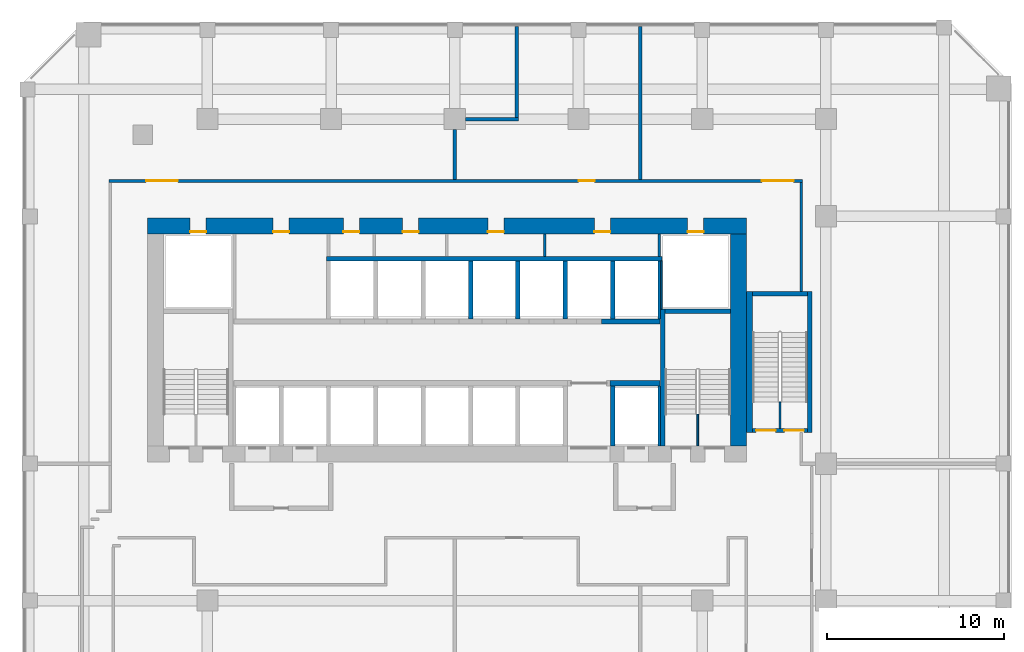
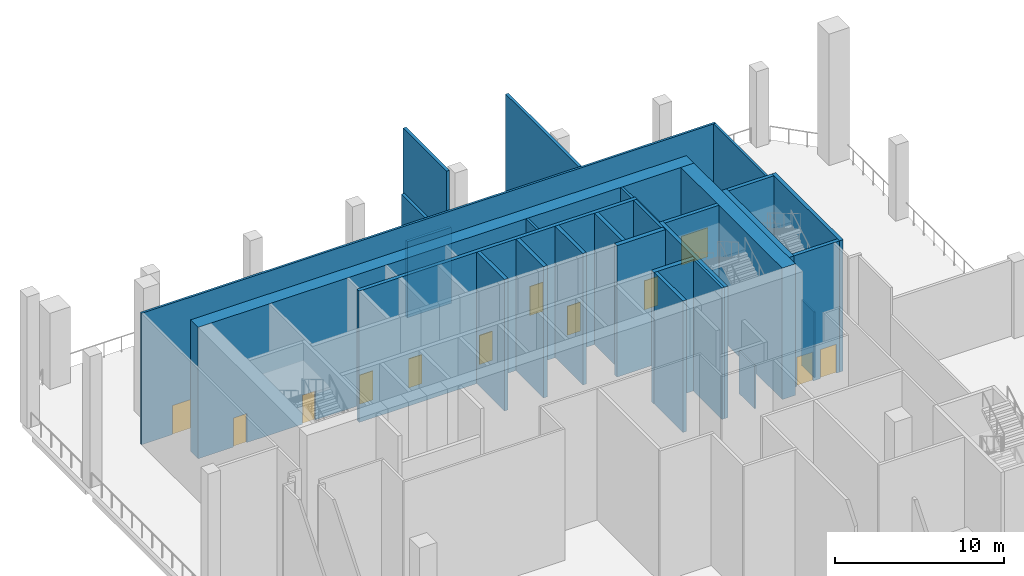
# One storey, part 5 of 12: 29 walls, 12 doors, 12 openings.
"""IFC4 building model written with IfcOpenShell, lengths in metres."""

from ifc_helpers import new_model, si_unit, direction, frame, frame_2d, origin, place, context, subcontext, project, spatial, rectangle, extrude, source, transform, mapped, material, layer, layer_set, type_object, element, fill, save


model = new_model("IFC4")

# Units and contexts
model_context = context("Model", 3, precision=1e-05, world=origin(), true_north=direction((0.0, 1.0)))
body_context = subcontext(model_context, "Body", "Model", "MODEL_VIEW")
ifc_project = project(units=[si_unit("LENGTHUNIT", "METRE"), si_unit("AREAUNIT", "SQUARE_METRE"), si_unit("VOLUMEUNIT", "CUBIC_METRE"), si_unit("PLANEANGLEUNIT", "RADIAN"), si_unit("MASSUNIT", "GRAM", prefix="KILO")], contexts=[model_context])

# Site, building, storey
site_placement = place(None, origin())
site = spatial("IfcSite", under=ifc_project, at=site_placement, CompositionType="ELEMENT")
building_placement = place(site_placement, origin())
building = spatial("IfcBuilding", under=site, at=building_placement, Name="Kilnfold Tower and Market Hall", CompositionType="ELEMENT")
storey_placement = place(building_placement, frame((0.0, 0.0, 128.60009765625)))
storey = spatial("IfcBuildingStorey", under=building, at=storey_placement, Name="L30 Refuge Wind Floor", CompositionType="ELEMENT", Elevation=128.60009765625)

# Wall
ifc_material_1 = material(Name="Gypsum board on steel studs", Category="steel")
ifc_layer_1 = layer(ifc_material_1, 0.14990234375)
ifc_layer_set_1 = layer_set([ifc_layer_1], Name="Gypsum board on steel studs")
wall_type_1 = type_object("IfcWallType", Name="WALL CORRIDOR 150", PredefinedType="PARTITIONING", material=ifc_layer_set_1)
wall_1_placement = place(storey_placement, frame((21.10009765625, 17.75, 0.0), z_axis=(0.0, 0.0, 1.0), x_axis=(0.0, 1.0, 0.0)))
element("IfcWall", 1, at=wall_1_placement, inside=storey, type_object=wall_type_1, Name="Partition LY19.25", PredefinedType="PARTITIONING", context=body_context, shape_type="SweptSolid", body=[
    extrude(rectangle(XDim=6.175048828125, YDim=0.14990234375, at=frame_2d((3.08740234375, 0.0))), origin(), (0.0, 0.0, 1.0), 9.5),
])

# Wall, openings, doors
wall_2_placement = place(storey_placement, frame((-18.074951171875, 24.0, 0.0), z_axis=(0.0, 0.0, 1.0), x_axis=(1.0, 0.0, 0.0)))
wall_2 = element("IfcWall", 2, at=wall_2_placement, inside=storey, type_object=wall_type_1, Name="Partition LY19.28", PredefinedType="PARTITIONING", context=body_context, shape_type="SweptSolid", body=[
    extrude(rectangle(XDim=39.25, YDim=0.14990234375, at=frame_2d((19.625, 0.0))), origin(), (0.0, 0.0, 1.0), 9.5),
])
opening_1_placement = place(wall_2_placement, frame((2.10888671875, 0.0, 0.0)))
opening_1 = element("IfcOpeningElement", 3, at=opening_1_placement, cuts=wall_2, Name="Opening D5", PredefinedType="OPENING", context=body_context, shape_type="SweptSolid", body=[
    extrude(rectangle(XDim=1.800048828125, YDim=2.10009765625, at=frame_2d((0.89990234375, 1.050048828125))), frame((0.0, 0.0849609375, 0.0), z_axis=(0.0, -1.0, 0.0), x_axis=(1.0, 0.0, 0.0)), (0.0, 0.0, 1.0), 0.169921875),
])
opening_2_placement = place(wall_2_placement, frame((26.580078125, 0.0, 0.0)))
opening_2 = element("IfcOpeningElement", 4, at=opening_2_placement, cuts=wall_2, Name="Opening D2", PredefinedType="OPENING", context=body_context, shape_type="SweptSolid", body=[
    extrude(rectangle(XDim=0.89990234375, YDim=2.10009765625, at=frame_2d((0.449951171875, 1.050048828125))), frame((0.0, 0.0849609375, 0.0), z_axis=(0.0, -1.0, 0.0), x_axis=(1.0, 0.0, 0.0)), (0.0, 0.0, 1.0), 0.169921875),
])
opening_3_placement = place(wall_2_placement, frame((36.946044921875, 0.0, 0.0)))
opening_3 = element("IfcOpeningElement", 5, at=opening_3_placement, cuts=wall_2, Name="Opening D5", PredefinedType="OPENING", context=body_context, shape_type="SweptSolid", body=[
    extrude(rectangle(XDim=1.800048828125, YDim=2.10009765625, at=frame_2d((0.89990234375, 1.050048828125))), frame((0.0, 0.0849609375, 0.0), z_axis=(0.0, -1.0, 0.0), x_axis=(1.0, 0.0, 0.0)), (0.0, 0.0, 1.0), 0.169921875),
])
ifc_material_2 = material(Name="Timber veneer door leaf in steel frame", Category="steel")
door_type_1 = type_object("IfcDoorType", Name="DOOR DOUBLE 1800 X2100", OperationType="NOTDEFINED", PredefinedType="DOOR", material=ifc_material_2)
door_1_placement = place(opening_1_placement, origin())
door_1 = element("IfcDoor", 6, at=door_1_placement, inside=storey, type_object=door_type_1, Name="Door D5", OperationType="DOUBLE_DOOR_SINGLE_SWING", OverallHeight=2.10009765625, OverallWidth=1.800048828125, PredefinedType="DOOR", context=body_context, shape_type="SweptSolid", body=[
    extrude(rectangle(XDim=1.800048828125, YDim=2.10009765625, at=frame_2d((0.89990234375, 1.050048828125))), frame((0.0, 0.02490234375, 0.0), z_axis=(0.0, -1.0, 0.0), x_axis=(1.0, 0.0, 0.0)), (0.0, 0.0, 1.0), 0.050048828125),
])
fill(opening_1, door_1)
door_2_placement = place(opening_3_placement, origin())
door_2 = element("IfcDoor", 7, at=door_2_placement, inside=storey, type_object=door_type_1, Name="Door D5", OperationType="DOUBLE_DOOR_SINGLE_SWING", OverallHeight=2.10009765625, OverallWidth=1.800048828125, PredefinedType="DOOR", context=body_context, shape_type="SweptSolid", body=[
    extrude(rectangle(XDim=1.800048828125, YDim=2.10009765625, at=frame_2d((0.89990234375, 1.050048828125))), frame((0.0, 0.02490234375, 0.0), z_axis=(0.0, -1.0, 0.0), x_axis=(1.0, 0.0, 0.0)), (0.0, 0.0, 1.0), 0.050048828125),
])
fill(opening_3, door_2)
ifc_material_3 = material(Name="Timber veneer door leaf in steel frame", Category="steel")
door_type_2 = type_object("IfcDoorType", Name="DOOR ROOM 900 X2100", OperationType="NOTDEFINED", PredefinedType="DOOR", material=ifc_material_3)
door_3_placement = place(opening_2_placement, origin())
door_3 = element("IfcDoor", 8, at=door_3_placement, inside=storey, type_object=door_type_2, Name="Door D2", OperationType="SINGLE_SWING_LEFT", OverallHeight=2.10009765625, OverallWidth=0.89990234375, PredefinedType="DOOR", context=body_context, shape_type="SweptSolid", body=[
    extrude(rectangle(XDim=0.89990234375, YDim=2.10009765625, at=frame_2d((0.449951171875, 1.050048828125))), frame((0.0, 0.02490234375, 0.0), z_axis=(0.0, -1.0, 0.0), x_axis=(1.0, 0.0, 0.0)), (0.0, 0.0, 1.0), 0.050048828125),
])
fill(opening_2, door_3)

# Walls
ifc_material_4 = material(Name="Gypsum board on steel studs", Category="steel")
ifc_layer_2 = layer(ifc_material_4, 0.199951171875)
ifc_layer_set_2 = layer_set([ifc_layer_2], Name="Gypsum board on steel studs")
wall_type_2 = type_object("IfcWallType", Name="WALL PARTY 200", PredefinedType="PARTITIONING", material=ifc_layer_set_2)
wall_3_placement = place(storey_placement, frame((12.0, 24.076904296875, 0.0), z_axis=(0.0, 0.0, 1.0), x_axis=(0.0, 1.0, 0.0)))
element("IfcWall", 9, at=wall_3_placement, inside=storey, type_object=wall_type_2, Name="Partition LY19.44", PredefinedType="PARTITIONING", context=body_context, shape_type="SweptSolid", body=[
    extrude(rectangle(XDim=8.673095703125, YDim=0.199951171875, at=frame_2d((4.33642578125, 0.0))), origin(), (0.0, 0.0, 1.0), 9.5),
])
wall_4_placement = place(storey_placement, frame((1.5, 24.076904296875, 0.0), z_axis=(0.0, 0.0, 1.0), x_axis=(0.0, 1.0, 0.0)))
element("IfcWall", 10, at=wall_4_placement, inside=storey, type_object=wall_type_2, Name="Partition LY19.45", PredefinedType="PARTITIONING", context=body_context, shape_type="SweptSolid", body=[
    extrude(rectangle(XDim=2.822998046875, YDim=0.199951171875, at=frame_2d((1.41162109375, 0.0))), origin(), (0.0, 0.0, 1.0), 9.5),
])
wall_5_placement = place(storey_placement, frame((5.10009765625, 27.5, 0.0), z_axis=(0.0, 0.0, 1.0), x_axis=(-1.0, 0.0, 0.0)))
element("IfcWall", 11, at=wall_5_placement, inside=storey, type_object=wall_type_2, Name="Partition LY19.46", PredefinedType="PARTITIONING", context=body_context, shape_type="SweptSolid", body=[
    extrude(rectangle(XDim=3.0, YDim=0.199951171875, at=frame_2d((1.5, 0.0))), origin(), (0.0, 0.0, 1.0), 5.5),
])
wall_6_placement = place(storey_placement, frame((5.0, 27.60009765625, 0.0), z_axis=(0.0, 0.0, 1.0), x_axis=(0.0, 1.0, 0.0)))
element("IfcWall", 12, at=wall_6_placement, inside=storey, type_object=wall_type_2, Name="Partition LY19.47", PredefinedType="PARTITIONING", context=body_context, shape_type="SweptSolid", body=[
    extrude(rectangle(XDim=5.14990234375, YDim=0.199951171875, at=frame_2d((2.574951171875, 0.0))), origin(), (0.0, 0.0, 1.0), 9.5),
])

# Wall, openings, doors
ifc_material_5 = material(Name="Concrete C70", Category="concrete")
ifc_layer_3 = layer(ifc_material_5, 0.89990234375)
ifc_layer_set_3 = layer_set([ifc_layer_3], Name="Concrete C70")
wall_type_3 = type_object("IfcWallType", Name="CORE WALL 900 C70", PredefinedType="SHEAR", material=ifc_layer_set_3)
shared_shape_1 = source(origin(), body_context, "Body", "SweptSolid", [
    extrude(rectangle(XDim=33.89990234375, YDim=0.89990234375, at=frame_2d((16.949951171875, 0.0))), origin(), (0.0, 0.0, 1.0), 9.5),
])
wall_7_placement = place(storey_placement, frame((-15.89990234375, 21.449951171875, 0.0), z_axis=(0.0, 0.0, 1.0), x_axis=(1.0, 0.0, 0.0)))
wall_7 = element("IfcWall", 13, at=wall_7_placement, inside=storey, type_object=wall_type_3, Name="Core outer wall north", PredefinedType="SHEAR", context=body_context, shape_type="MappedRepresentation", body=[
    mapped(shared_shape_1, transform((0.0, 0.0, 0.0))),
])
opening_4_placement = place(wall_7_placement, frame((7.1201171875, 0.0, 0.0)))
opening_4 = element("IfcOpeningElement", 14, at=opening_4_placement, cuts=wall_7, Name="Opening KD1", PredefinedType="OPENING", context=body_context, shape_type="SweptSolid", body=[
    extrude(rectangle(XDim=0.89990234375, YDim=2.10009765625, at=frame_2d((0.449951171875, 1.050048828125))), frame((0.0, 0.4599609375, 0.0), z_axis=(0.0, -1.0, 0.0), x_axis=(1.0, 0.0, 0.0)), (0.0, 0.0, 1.0), 0.919921875),
])
opening_5_placement = place(wall_7_placement, frame((11.099853515625, 0.0, 0.0)))
opening_5 = element("IfcOpeningElement", 15, at=opening_5_placement, cuts=wall_7, Name="Opening KD1", PredefinedType="OPENING", context=body_context, shape_type="SweptSolid", body=[
    extrude(rectangle(XDim=0.89990234375, YDim=2.10009765625, at=frame_2d((0.449951171875, 1.050048828125))), frame((0.0, 0.4599609375, 0.0), z_axis=(0.0, -1.0, 0.0), x_axis=(1.0, 0.0, 0.0)), (0.0, 0.0, 1.0), 0.919921875),
])
opening_6_placement = place(wall_7_placement, frame((14.44970703125, 0.0, 0.0)))
opening_6 = element("IfcOpeningElement", 16, at=opening_6_placement, cuts=wall_7, Name="Opening KD1", PredefinedType="OPENING", context=body_context, shape_type="SweptSolid", body=[
    extrude(rectangle(XDim=0.89990234375, YDim=2.10009765625, at=frame_2d((0.449951171875, 1.050048828125))), frame((0.0, 0.4599609375, 0.0), z_axis=(0.0, -1.0, 0.0), x_axis=(1.0, 0.0, 0.0)), (0.0, 0.0, 1.0), 0.919921875),
])
opening_7_placement = place(wall_7_placement, frame((19.273681640625, 0.0, 0.0)))
opening_7 = element("IfcOpeningElement", 17, at=opening_7_placement, cuts=wall_7, Name="Opening KD1", PredefinedType="OPENING", context=body_context, shape_type="SweptSolid", body=[
    extrude(rectangle(XDim=0.89990234375, YDim=2.10009765625, at=frame_2d((0.449951171875, 1.050048828125))), frame((0.0, 0.4599609375, 0.0), z_axis=(0.0, -1.0, 0.0), x_axis=(1.0, 0.0, 0.0)), (0.0, 0.0, 1.0), 0.919921875),
])
opening_8_placement = place(wall_7_placement, frame((25.3037109375, 0.0, 0.0)))
opening_8 = element("IfcOpeningElement", 18, at=opening_8_placement, cuts=wall_7, Name="Opening KD1", PredefinedType="OPENING", context=body_context, shape_type="SweptSolid", body=[
    extrude(rectangle(XDim=0.89990234375, YDim=2.10009765625, at=frame_2d((0.449951171875, 1.050048828125))), frame((0.0, 0.4599609375, 0.0), z_axis=(0.0, -1.0, 0.0), x_axis=(1.0, 0.0, 0.0)), (0.0, 0.0, 1.0), 0.919921875),
])
opening_9_placement = place(wall_7_placement, frame((2.425048828125, 0.0, 0.0)))
opening_9 = element("IfcOpeningElement", 19, at=opening_9_placement, cuts=wall_7, Name="Opening KD1", PredefinedType="OPENING", context=body_context, shape_type="SweptSolid", body=[
    extrude(rectangle(XDim=0.89990234375, YDim=2.10009765625, at=frame_2d((0.449951171875, 1.050048828125))), frame((0.0, 0.4599609375, 0.0), z_axis=(0.0, -1.0, 0.0), x_axis=(1.0, 0.0, 0.0)), (0.0, 0.0, 1.0), 0.919921875),
])
opening_10_placement = place(wall_7_placement, frame((30.574951171875, 0.0, 0.0)))
opening_10 = element("IfcOpeningElement", 20, at=opening_10_placement, cuts=wall_7, Name="Opening KD1", PredefinedType="OPENING", context=body_context, shape_type="SweptSolid", body=[
    extrude(rectangle(XDim=0.89990234375, YDim=2.10009765625, at=frame_2d((0.449951171875, 1.050048828125))), frame((0.0, 0.4599609375, 0.0), z_axis=(0.0, -1.0, 0.0), x_axis=(1.0, 0.0, 0.0)), (0.0, 0.0, 1.0), 0.919921875),
])
ifc_material_6 = material(Name="Steel door set with fire-resisting leaf", Category="steel")
door_type_3 = type_object("IfcDoorType", Name="SERVICE DOOR 900X2100", OperationType="NOTDEFINED", PredefinedType="DOOR", material=ifc_material_6)
door_4_placement = place(opening_4_placement, origin())
door_4 = element("IfcDoor", 21, at=door_4_placement, inside=storey, type_object=door_type_3, Name="Core service door", OperationType="SINGLE_SWING_RIGHT", OverallHeight=2.10009765625, OverallWidth=0.89990234375, PredefinedType="DOOR", context=body_context, shape_type="SweptSolid", body=[
    extrude(rectangle(XDim=0.89990234375, YDim=2.10009765625, at=frame_2d((0.449951171875, 1.050048828125))), frame((0.0, -0.30517578125, 0.0), z_axis=(0.0, -1.0, 0.0), x_axis=(1.0, 0.0, 0.0)), (0.0, 0.0, 1.0), 0.050048828125),
])
fill(opening_4, door_4)
door_5_placement = place(opening_5_placement, origin())
door_5 = element("IfcDoor", 22, at=door_5_placement, inside=storey, type_object=door_type_3, Name="Core service door", OperationType="SINGLE_SWING_LEFT", OverallHeight=2.10009765625, OverallWidth=0.89990234375, PredefinedType="DOOR", context=body_context, shape_type="SweptSolid", body=[
    extrude(rectangle(XDim=0.89990234375, YDim=2.10009765625, at=frame_2d((0.449951171875, 1.050048828125))), frame((0.0, -0.30517578125, 0.0), z_axis=(0.0, -1.0, 0.0), x_axis=(1.0, 0.0, 0.0)), (0.0, 0.0, 1.0), 0.050048828125),
])
fill(opening_5, door_5)
door_6_placement = place(opening_6_placement, origin())
door_6 = element("IfcDoor", 23, at=door_6_placement, inside=storey, type_object=door_type_3, Name="Core service door", OperationType="SINGLE_SWING_RIGHT", OverallHeight=2.10009765625, OverallWidth=0.89990234375, PredefinedType="DOOR", context=body_context, shape_type="SweptSolid", body=[
    extrude(rectangle(XDim=0.89990234375, YDim=2.10009765625, at=frame_2d((0.449951171875, 1.050048828125))), frame((0.0, -0.30517578125, 0.0), z_axis=(0.0, -1.0, 0.0), x_axis=(1.0, 0.0, 0.0)), (0.0, 0.0, 1.0), 0.050048828125),
])
fill(opening_6, door_6)
door_7_placement = place(opening_7_placement, origin())
door_7 = element("IfcDoor", 24, at=door_7_placement, inside=storey, type_object=door_type_3, Name="Core service door", OperationType="SINGLE_SWING_LEFT", OverallHeight=2.10009765625, OverallWidth=0.89990234375, PredefinedType="DOOR", context=body_context, shape_type="SweptSolid", body=[
    extrude(rectangle(XDim=0.89990234375, YDim=2.10009765625, at=frame_2d((0.449951171875, 1.050048828125))), frame((0.0, -0.30517578125, 0.0), z_axis=(0.0, -1.0, 0.0), x_axis=(1.0, 0.0, 0.0)), (0.0, 0.0, 1.0), 0.050048828125),
])
fill(opening_7, door_7)
door_8_placement = place(opening_8_placement, origin())
door_8 = element("IfcDoor", 25, at=door_8_placement, inside=storey, type_object=door_type_3, Name="Core service door", OperationType="SINGLE_SWING_RIGHT", OverallHeight=2.10009765625, OverallWidth=0.89990234375, PredefinedType="DOOR", context=body_context, shape_type="SweptSolid", body=[
    extrude(rectangle(XDim=0.89990234375, YDim=2.10009765625, at=frame_2d((0.449951171875, 1.050048828125))), frame((0.0, -0.30517578125, 0.0), z_axis=(0.0, -1.0, 0.0), x_axis=(1.0, 0.0, 0.0)), (0.0, 0.0, 1.0), 0.050048828125),
])
fill(opening_8, door_8)
door_9_placement = place(opening_9_placement, origin())
door_9 = element("IfcDoor", 26, at=door_9_placement, inside=storey, type_object=door_type_3, Name="Electrical riser access door", OperationType="SINGLE_SWING_LEFT", OverallHeight=2.10009765625, OverallWidth=0.89990234375, PredefinedType="DOOR", context=body_context, shape_type="SweptSolid", body=[
    extrude(rectangle(XDim=0.89990234375, YDim=2.10009765625, at=frame_2d((0.449951171875, 1.050048828125))), frame((0.0, -0.30517578125, 0.0), z_axis=(0.0, -1.0, 0.0), x_axis=(1.0, 0.0, 0.0)), (0.0, 0.0, 1.0), 0.050048828125),
])
fill(opening_9, door_9)
door_10_placement = place(opening_10_placement, origin())
door_10 = element("IfcDoor", 27, at=door_10_placement, inside=storey, type_object=door_type_3, Name="Mechanical riser access door", OperationType="SINGLE_SWING_RIGHT", OverallHeight=2.10009765625, OverallWidth=0.89990234375, PredefinedType="DOOR", context=body_context, shape_type="SweptSolid", body=[
    extrude(rectangle(XDim=0.89990234375, YDim=2.10009765625, at=frame_2d((0.449951171875, 1.050048828125))), frame((0.0, -0.30517578125, 0.0), z_axis=(0.0, -1.0, 0.0), x_axis=(1.0, 0.0, 0.0)), (0.0, 0.0, 1.0), 0.050048828125),
])
fill(opening_10, door_10)

# Walls
shared_shape_2 = source(origin(), body_context, "Body", "SweptSolid", [
    extrude(rectangle(XDim=12.0, YDim=0.89990234375, at=frame_2d((6.0, 0.0))), origin(), (0.0, 0.0, 1.0), 9.5),
])
wall_8_placement = place(storey_placement, frame((17.550048828125, 9.0, 0.0), z_axis=(0.0, 0.0, 1.0), x_axis=(0.0, 1.0, 0.0)))
element("IfcWall", 28, at=wall_8_placement, inside=storey, type_object=wall_type_3, Name="Core outer wall east", PredefinedType="SHEAR", context=body_context, shape_type="MappedRepresentation", body=[
    mapped(shared_shape_2, transform((0.0, 0.0, 0.0))),
])
ifc_material_7 = material(Name="Concrete C70", Category="concrete")
ifc_layer_4 = layer(ifc_material_7, 0.25)
ifc_layer_set_4 = layer_set([ifc_layer_4], Name="Concrete C70")
wall_type_4 = type_object("IfcWallType", Name="CORE WALL 250 C70", PredefinedType="SHEAR", material=ifc_layer_set_4)
shared_shape_3 = source(origin(), body_context, "Body", "SweptSolid", [
    extrude(rectangle(XDim=7.75, YDim=0.25, at=frame_2d((3.875, 0.0))), origin(), (0.0, 0.0, 1.0), 9.5),
])
wall_9_placement = place(storey_placement, frame((13.27490234375, 9.0, 0.0), z_axis=(0.0, 0.0, 1.0), x_axis=(0.0, 1.0, 0.0)))
element("IfcWall", 29, at=wall_9_placement, inside=storey, type_object=wall_type_4, Name="Stair enclosure ST2", PredefinedType="SHEAR", context=body_context, shape_type="MappedRepresentation", body=[
    mapped(shared_shape_3, transform((0.0, 0.0, 0.0))),
])
shared_shape_4 = source(origin(), body_context, "Body", "SweptSolid", [
    extrude(rectangle(XDim=3.7001953125, YDim=0.25, at=frame_2d((1.85009765625, 0.0))), origin(), (0.0, 0.0, 1.0), 9.5),
])
wall_10_placement = place(storey_placement, frame((13.39990234375, 16.625, 0.0), z_axis=(0.0, 0.0, 1.0), x_axis=(1.0, 0.0, 0.0)))
element("IfcWall", 30, at=wall_10_placement, inside=storey, type_object=wall_type_4, Name="Stair enclosure ST2", PredefinedType="SHEAR", context=body_context, shape_type="MappedRepresentation", body=[
    mapped(shared_shape_4, transform((0.0, 0.0, 0.0))),
])
shared_shape_5 = source(origin(), body_context, "Body", "SweptSolid", [
    extrude(rectangle(XDim=8.0, YDim=0.25, at=frame_2d((4.0, 0.0))), origin(), (0.0, 0.0, 1.0), 9.5),
])
wall_11_placement = place(storey_placement, frame((21.574951171875, 9.75, 0.0), z_axis=(0.0, 0.0, 1.0), x_axis=(0.0, 1.0, 0.0)))
element("IfcWall", 31, at=wall_11_placement, inside=storey, type_object=wall_type_4, Name="Stair enclosure ST5", PredefinedType="SHEAR", context=body_context, shape_type="MappedRepresentation", body=[
    mapped(shared_shape_5, transform((0.0, 0.0, 0.0))),
])
ifc_material_8 = material(Name="Concrete C70", Category="concrete")
ifc_layer_5 = layer(ifc_material_8, 0.35009765625)
ifc_layer_set_5 = layer_set([ifc_layer_5], Name="Concrete C70")
wall_type_5 = type_object("IfcWallType", Name="CORE WALL 350 C70", PredefinedType="SHEAR", material=ifc_layer_set_5)
shared_shape_6 = source(origin(), body_context, "Body", "SweptSolid", [
    extrude(rectangle(XDim=8.0, YDim=0.35009765625, at=frame_2d((4.0, 0.0))), origin(), (0.0, 0.0, 1.0), 9.5),
])
wall_12_placement = place(storey_placement, frame((18.175048828125, 9.75, 0.0), z_axis=(0.0, 0.0, 1.0), x_axis=(0.0, 1.0, 0.0)))
element("IfcWall", 32, at=wall_12_placement, inside=storey, type_object=wall_type_5, Name="Stair enclosure ST5", PredefinedType="SHEAR", context=body_context, shape_type="MappedRepresentation", body=[
    mapped(shared_shape_6, transform((0.0, 0.0, 0.0))),
])

# Wall, openings, doors
shared_shape_7 = source(origin(), body_context, "Body", "SweptSolid", [
    extrude(rectangle(XDim=3.099853515625, YDim=0.25, at=frame_2d((1.5498046875, 0.0))), origin(), (0.0, 0.0, 1.0), 9.5),
])
wall_13_placement = place(storey_placement, frame((18.35009765625, 9.875, 0.0), z_axis=(0.0, 0.0, 1.0), x_axis=(1.0, 0.0, 0.0)))
wall_13 = element("IfcWall", 33, at=wall_13_placement, inside=storey, type_object=wall_type_4, Name="Stair enclosure ST5", PredefinedType="SHEAR", context=body_context, shape_type="MappedRepresentation", body=[
    mapped(shared_shape_7, transform((0.0, 0.0, 0.0))),
])
opening_11_placement = place(wall_13_placement, frame((0.199951171875, 0.0, 0.0)))
opening_11 = element("IfcOpeningElement", 34, at=opening_11_placement, cuts=wall_13, Name="Opening SD3", PredefinedType="OPENING", context=body_context, shape_type="SweptSolid", body=[
    extrude(rectangle(XDim=1.10009765625, YDim=2.10009765625, at=frame_2d((0.550048828125, 1.050048828125))), frame((0.0, 0.135009765625, 0.0), z_axis=(0.0, -1.0, 0.0), x_axis=(1.0, 0.0, 0.0)), (0.0, 0.0, 1.0), 0.27001953125),
])
opening_12_placement = place(wall_13_placement, frame((1.800048828125, 0.0, 0.0)))
opening_12 = element("IfcOpeningElement", 35, at=opening_12_placement, cuts=wall_13, Name="Opening SD3", PredefinedType="OPENING", context=body_context, shape_type="SweptSolid", body=[
    extrude(rectangle(XDim=1.10009765625, YDim=2.10009765625, at=frame_2d((0.550048828125, 1.050048828125))), frame((0.0, 0.135009765625, 0.0), z_axis=(0.0, -1.0, 0.0), x_axis=(1.0, 0.0, 0.0)), (0.0, 0.0, 1.0), 0.27001953125),
])
ifc_material_9 = material(Name="Steel door set with fire-resisting leaf", Category="steel")
door_type_4 = type_object("IfcDoorType", Name="STAIR REFUGE DOOR 1100X2100", OperationType="NOTDEFINED", PredefinedType="DOOR", material=ifc_material_9)
door_11_placement = place(opening_11_placement, origin())
door_11 = element("IfcDoor", 36, at=door_11_placement, inside=storey, type_object=door_type_4, Name="Exit stair ST5 door from refuge", OperationType="SINGLE_SWING_RIGHT", OverallHeight=2.10009765625, OverallWidth=1.10009765625, PredefinedType="DOOR", context=body_context, shape_type="SweptSolid", body=[
    extrude(rectangle(XDim=1.10009765625, YDim=2.10009765625, at=frame_2d((0.550048828125, 1.050048828125))), frame((0.0, 0.02490234375, 0.0), z_axis=(0.0, -1.0, 0.0), x_axis=(1.0, 0.0, 0.0)), (0.0, 0.0, 1.0), 0.050048828125),
])
fill(opening_11, door_11)
door_12_placement = place(opening_12_placement, origin())
door_12 = element("IfcDoor", 37, at=door_12_placement, inside=storey, type_object=door_type_4, Name="Exit stair ST5 door to refuge", OperationType="SINGLE_SWING_LEFT", OverallHeight=2.10009765625, OverallWidth=1.10009765625, PredefinedType="DOOR", context=body_context, shape_type="SweptSolid", body=[
    extrude(rectangle(XDim=1.10009765625, YDim=2.10009765625, at=frame_2d((0.550048828125, 1.050048828125))), frame((0.0, 0.02490234375, 0.0), z_axis=(0.0, -1.0, 0.0), x_axis=(1.0, 0.0, 0.0)), (0.0, 0.0, 1.0), 0.050048828125),
])
fill(opening_12, door_12)

# Walls
wall_14_placement = place(storey_placement, frame((18.35009765625, 17.625, 0.0), z_axis=(0.0, 0.0, 1.0), x_axis=(1.0, 0.0, 0.0)))
element("IfcWall", 38, at=wall_14_placement, inside=storey, type_object=wall_type_4, Name="Stair enclosure ST5", PredefinedType="SHEAR", context=body_context, shape_type="MappedRepresentation", body=[
    mapped(shared_shape_7, transform((0.0, 0.0, 0.0))),
])
ifc_material_10 = material(Name="Concrete C70", Category="concrete")
ifc_layer_6 = layer(ifc_material_10, 0.300048828125)
ifc_layer_set_6 = layer_set([ifc_layer_6], Name="Concrete C70")
wall_type_6 = type_object("IfcWallType", Name="CORE WALL 300 C70", PredefinedType="SHEAR", material=ifc_layer_set_6)
shared_shape_8 = source(origin(), body_context, "Body", "SweptSolid", [
    extrude(rectangle(XDim=2.820068359375, YDim=0.300048828125, at=frame_2d((1.41015625, 0.0))), origin(), (0.0, 0.0, 1.0), 9.5),
])
wall_15_placement = place(storey_placement, frame((10.2900390625, 12.550048828125, 0.0), z_axis=(0.0, 0.0, 1.0), x_axis=(1.0, 0.0, 0.0)))
element("IfcWall", 39, at=wall_15_placement, inside=storey, type_object=wall_type_6, Name="Core spine wall", PredefinedType="SHEAR", context=body_context, shape_type="MappedRepresentation", body=[
    mapped(shared_shape_8, transform((0.0, 0.0, 0.0))),
])
shared_shape_9 = source(origin(), body_context, "Body", "SweptSolid", [
    extrude(rectangle(XDim=3.320068359375, YDim=0.300048828125, at=frame_2d((1.66015625, 0.0))), origin(), (0.0, 0.0, 1.0), 9.5),
])
wall_16_placement = place(storey_placement, frame((9.7900390625, 16.050048828125, 0.0), z_axis=(0.0, 0.0, 1.0), x_axis=(1.0, 0.0, 0.0)))
element("IfcWall", 40, at=wall_16_placement, inside=storey, type_object=wall_type_6, Name="Core spine wall", PredefinedType="SHEAR", context=body_context, shape_type="MappedRepresentation", body=[
    mapped(shared_shape_9, transform((0.0, 0.0, 0.0))),
])
ifc_material_11 = material(Name="Gypsum shaft wall system")
ifc_layer_7 = layer(ifc_material_11, 0.25)
ifc_layer_set_7 = layer_set([ifc_layer_7], Name="Gypsum shaft wall system")
wall_type_7 = type_object("IfcWallType", Name="SHAFT WALL 250", PredefinedType="PARTITIONING", material=ifc_layer_set_7)
shared_shape_10 = source(origin(), body_context, "Body", "SweptSolid", [
    extrude(rectangle(XDim=19.010009765625, YDim=0.25, at=frame_2d((9.5048828125, 0.0))), origin(), (0.0, 0.0, 1.0), 9.5),
])
wall_17_placement = place(storey_placement, frame((-5.77490234375, 19.60009765625, 0.0), z_axis=(0.0, 0.0, 1.0), x_axis=(1.0, 0.0, 0.0)))
element("IfcWall", 41, at=wall_17_placement, inside=storey, type_object=wall_type_7, Name="Lift shaft wall", PredefinedType="PARTITIONING", context=body_context, shape_type="MappedRepresentation", body=[
    mapped(shared_shape_10, transform((0.0, 0.0, 0.0))),
])
ifc_material_12 = material(Name="Gypsum shaft wall system")
ifc_layer_8 = layer(ifc_material_12, 0.1650390625)
ifc_layer_set_8 = layer_set([ifc_layer_8], Name="Gypsum shaft wall system")
wall_type_8 = type_object("IfcWallType", Name="SHAFT WALL 165", PredefinedType="PARTITIONING", material=ifc_layer_set_8)
shared_shape_11 = source(origin(), body_context, "Body", "SweptSolid", [
    extrude(rectangle(XDim=3.275146484375, YDim=0.1650390625, at=frame_2d((1.6376953125, 0.0))), origin(), (0.0, 0.0, 1.0), 9.5),
])
wall_18_placement = place(storey_placement, frame((13.0673828125, 16.199951171875, 0.0), z_axis=(0.0, 0.0, 1.0), x_axis=(0.0, 1.0, 0.0)))
element("IfcWall", 42, at=wall_18_placement, inside=storey, type_object=wall_type_8, Name="Lift shaft wall", PredefinedType="PARTITIONING", context=body_context, shape_type="MappedRepresentation", body=[
    mapped(shared_shape_11, transform((0.0, 0.0, 0.0))),
])
shared_shape_12 = source(origin(), body_context, "Body", "SweptSolid", [
    extrude(rectangle(XDim=1.27490234375, YDim=0.1650390625, at=frame_2d((0.637451171875, 0.0))), origin(), (0.0, 0.0, 1.0), 9.5),
])
wall_19_placement = place(storey_placement, frame((13.0673828125, 19.72509765625, 0.0), z_axis=(0.0, 0.0, 1.0), x_axis=(0.0, 1.0, 0.0)))
element("IfcWall", 43, at=wall_19_placement, inside=storey, type_object=wall_type_8, Name="Lift shaft wall", PredefinedType="PARTITIONING", context=body_context, shape_type="MappedRepresentation", body=[
    mapped(shared_shape_12, transform((0.0, 0.0, 0.0))),
])
shared_shape_13 = source(origin(), body_context, "Body", "SweptSolid", [
    extrude(rectangle(XDim=3.275146484375, YDim=0.25, at=frame_2d((1.6376953125, 0.0))), origin(), (0.0, 0.0, 1.0), 9.5),
])
for number, where, z_axis, x_axis, name in (
    (44, (10.429931640625, 16.199951171875, 0.0), (0.0, 0.0, 1.0), (0.0, 1.0, 0.0), "Lift shaft wall"),
    (45, (2.389892578125, 16.199951171875, 0.0), (0.0, 0.0, 1.0), (0.0, 1.0, 0.0), "Lift shaft wall"),
    (46, (5.070068359375, 16.199951171875, 0.0), (0.0, 0.0, 1.0), (0.0, 1.0, 0.0), "Lift shaft wall"),
    (47, (7.75, 16.199951171875, 0.0), (0.0, 0.0, 1.0), (0.0, 1.0, 0.0), "Lift shaft wall"),
):
    element("IfcWall", number, at=place(storey_placement, frame(where, z_axis=z_axis, x_axis=x_axis)), inside=storey, type_object=wall_type_7, Name=name, PredefinedType="PARTITIONING", context=body_context, shape_type="MappedRepresentation", body=[
        mapped(shared_shape_13, transform((0.0, 0.0, 0.0))),
    ])
ifc_material_13 = material(Name="Gypsum shaft wall system")
ifc_layer_9 = layer(ifc_material_13, 0.0849609375)
ifc_layer_set_9 = layer_set([ifc_layer_9], Name="Gypsum shaft wall system")
wall_type_9 = type_object("IfcWallType", Name="SHAFT WALL 85", PredefinedType="PARTITIONING", material=ifc_layer_set_9)
shared_shape_14 = source(origin(), body_context, "Body", "SweptSolid", [
    extrude(rectangle(XDim=2.72509765625, YDim=0.0849609375, at=frame_2d((1.362548828125, 0.0))), origin(), (0.0, 0.0, 1.0), 9.5),
])
wall_20_placement = place(storey_placement, frame((13.1923828125, 16.75, 0.0), z_axis=(0.0, 0.0, 1.0), x_axis=(0.0, 1.0, 0.0)))
element("IfcWall", 48, at=wall_20_placement, inside=storey, type_object=wall_type_9, Name="Lift shaft wall", PredefinedType="PARTITIONING", context=body_context, shape_type="MappedRepresentation", body=[
    mapped(shared_shape_14, transform((0.0, 0.0, 0.0))),
])
shared_shape_15 = source(origin(), body_context, "Body", "SweptSolid", [
    extrude(rectangle(XDim=3.39990234375, YDim=0.25, at=frame_2d((1.699951171875, 0.0))), origin(), (0.0, 0.0, 1.0), 9.5),
])
wall_21_placement = place(storey_placement, frame((10.429931640625, 9.0, 0.0), z_axis=(0.0, 0.0, 1.0), x_axis=(0.0, 1.0, 0.0)))
element("IfcWall", 49, at=wall_21_placement, inside=storey, type_object=wall_type_7, Name="Lift shaft wall", PredefinedType="PARTITIONING", context=body_context, shape_type="MappedRepresentation", body=[
    mapped(shared_shape_15, transform((0.0, 0.0, 0.0))),
])
shared_shape_16 = source(origin(), body_context, "Body", "SweptSolid", [
    extrude(rectangle(XDim=3.39990234375, YDim=0.1650390625, at=frame_2d((1.699951171875, 0.0))), origin(), (0.0, 0.0, 1.0), 9.5),
])
wall_22_placement = place(storey_placement, frame((13.0673828125, 9.0, 0.0), z_axis=(0.0, 0.0, 1.0), x_axis=(0.0, 1.0, 0.0)))
element("IfcWall", 50, at=wall_22_placement, inside=storey, type_object=wall_type_8, Name="Lift shaft wall", PredefinedType="PARTITIONING", context=body_context, shape_type="MappedRepresentation", body=[
    mapped(shared_shape_16, transform((0.0, 0.0, 0.0))),
])
ifc_material_14 = material(Name="Gypsum shaft wall system")
ifc_layer_10 = layer(ifc_material_14, 0.14990234375)
ifc_layer_set_10 = layer_set([ifc_layer_10], Name="Gypsum shaft wall system")
wall_type_10 = type_object("IfcWallType", Name="ROOM WALL 150", PredefinedType="PARTITIONING", material=ifc_layer_set_10)
shared_shape_17 = source(origin(), body_context, "Body", "SweptSolid", [
    extrude(rectangle(XDim=1.27490234375, YDim=0.14990234375, at=frame_2d((0.637451171875, 0.0))), origin(), (0.0, 0.0, 1.0), 9.5),
])
wall_23_placement = place(storey_placement, frame((6.59765625, 19.72509765625, 0.0), z_axis=(0.0, 0.0, 1.0), x_axis=(0.0, 1.0, 0.0)))
element("IfcWall", 51, at=wall_23_placement, inside=storey, type_object=wall_type_10, Name="Core room wall", PredefinedType="PARTITIONING", context=body_context, shape_type="MappedRepresentation", body=[
    mapped(shared_shape_17, transform((0.0, 0.0, 0.0))),
])
ifc_material_15 = material(Name="Gypsum shaft wall system")
ifc_layer_11 = layer(ifc_material_15, 0.10009765625)
ifc_layer_set_11 = layer_set([ifc_layer_11], Name="Gypsum shaft wall system")
wall_type_11 = type_object("IfcWallType", Name="STAIR PARTITION 100", PredefinedType="PARTITIONING", material=ifc_layer_set_11)
shared_shape_18 = source(origin(), body_context, "Body", "SweptSolid", [
    extrude(rectangle(XDim=1.800048828125, YDim=0.10009765625, at=frame_2d((0.89990234375, 0.0))), origin(), (0.0, 0.0, 1.0), 3.099853515625),
])
wall_24_placement = place(storey_placement, frame((15.25, 9.0, 0.0), z_axis=(0.0, 0.0, 1.0), x_axis=(0.0, 1.0, 0.0)))
element("IfcWall", 52, at=wall_24_placement, inside=storey, type_object=wall_type_11, Name="Exit stair ST2 refuge partition", PredefinedType="PARTITIONING", context=body_context, shape_type="MappedRepresentation", body=[
    mapped(shared_shape_18, transform((0.0, 0.0, 0.0))),
])
shared_shape_19 = source(origin(), body_context, "Body", "SweptSolid", [
    extrude(rectangle(XDim=1.5, YDim=0.10009765625, at=frame_2d((0.75, 0.0))), origin(), (0.0, 0.0, 1.0), 4.75),
])
wall_25_placement = place(storey_placement, frame((19.89990234375, 10.0, 0.0), z_axis=(0.0, 0.0, 1.0), x_axis=(0.0, 1.0, 0.0)))
element("IfcWall", 53, at=wall_25_placement, inside=storey, type_object=wall_type_11, Name="Exit stair ST5 refuge partition", PredefinedType="PARTITIONING", context=body_context, shape_type="MappedRepresentation", body=[
    mapped(shared_shape_19, transform((0.0, 0.0, 0.0))),
])

save(model, "model.ifc")
